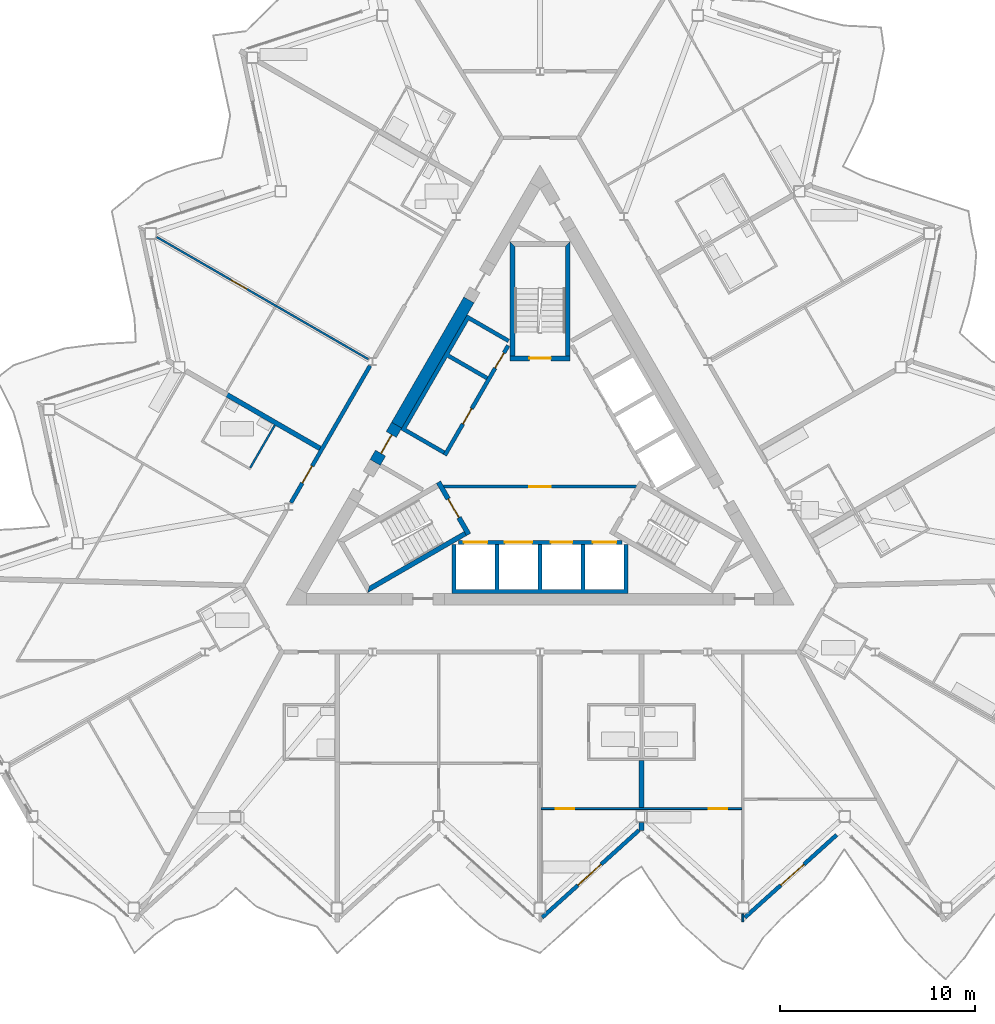
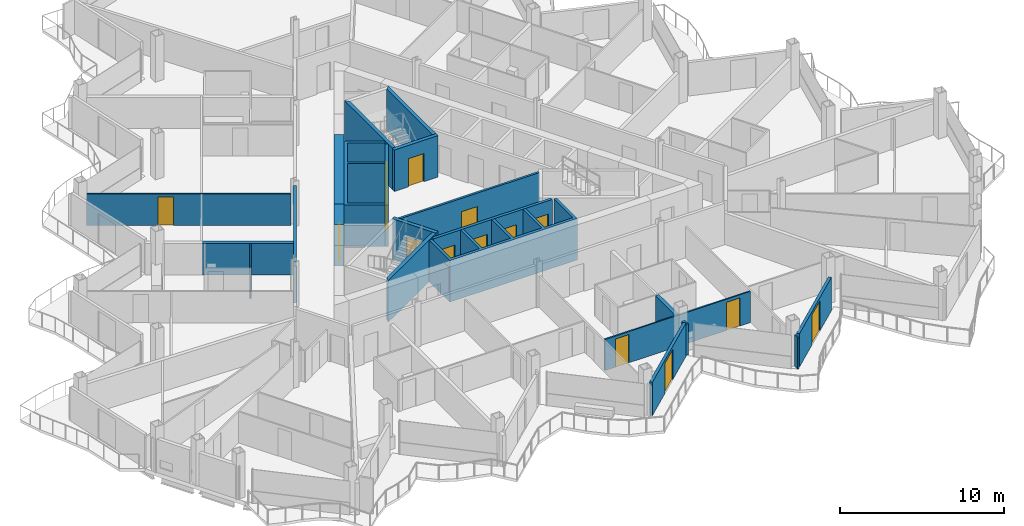
# One storey, part 15 of 28: 22 walls, 16 doors, 16 openings.
"""IFC4 building model written with IfcOpenShell, lengths in metres."""

from ifc_helpers import new_model, si_unit, direction, frame, frame_2d, origin, place, context, subcontext, project, spatial, polyline, rectangle, outline, extrude, material, layer, layer_set, type_object, element, fill, save


model = new_model("IFC4")

# Units and contexts
model_context = context("Model", 3, precision=1e-05, world=origin(), true_north=direction((0.0, 1.0)))
body_context = subcontext(model_context, "Body", "Model", "MODEL_VIEW")
ifc_project = project(units=[si_unit("LENGTHUNIT", "METRE"), si_unit("AREAUNIT", "SQUARE_METRE"), si_unit("VOLUMEUNIT", "CUBIC_METRE"), si_unit("PLANEANGLEUNIT", "RADIAN"), si_unit("MASSUNIT", "GRAM", prefix="KILO")], contexts=[model_context])

# Site, building, storey
site_placement = place(None, origin())
site = spatial("IfcSite", under=ifc_project, at=site_placement, CompositionType="ELEMENT")
building_placement = place(site_placement, origin())
building = spatial("IfcBuilding", under=site, at=building_placement, Name="Cormorant Prow Tower", CompositionType="ELEMENT")
storey_placement = place(building_placement, frame((0.0, 0.0, 308.60009765625)))
storey = spatial("IfcBuildingStorey", under=building, at=storey_placement, Name="L67", CompositionType="ELEMENT", Elevation=308.60009765625)

# Wall, opening, door
ifc_material_1 = material(Name="Gypsum board partition")
ifc_layer_1 = layer(ifc_material_1, 0.14990234375)
ifc_layer_set_1 = layer_set([ifc_layer_1], Name="Gypsum board partition")
wall_type_1 = type_object("IfcWallType", Name="Core partition 150", PredefinedType="PARTITIONING", material=ifc_layer_set_1)
wall_1_placement = place(storey_placement, frame((-4.941162109375, -1.449951171875, 0.0), z_axis=(0.0, 0.0, 1.0), x_axis=(1.0, 0.0, 0.0)))
wall_1 = element("IfcWall", 1, at=wall_1_placement, inside=storey, type_object=wall_type_1, Name="Firefighting lobby partition", PredefinedType="PARTITIONING", context=body_context, shape_type="SweptSolid", body=[
    extrude(rectangle(XDim=9.88232421875, YDim=0.14990234375, at=frame_2d((4.941162109375, 0.0))), origin(), (0.0, 0.0, 1.0), 3.099853515625),
])
opening_1_placement = place(wall_1_placement, frame((4.39111328125, 0.0, 0.0)))
opening_1 = element("IfcOpeningElement", 2, at=opening_1_placement, cuts=wall_1, Name="Opening L67-C11", PredefinedType="OPENING", context=body_context, shape_type="SweptSolid", body=[
    extrude(rectangle(XDim=1.10009765625, YDim=2.10009765625, at=frame_2d((0.550048828125, 1.050048828125))), frame((0.0, 0.0849609375, 0.0), z_axis=(0.0, -1.0, 0.0), x_axis=(1.0, 0.0, 0.0)), (0.0, 0.0, 1.0), 0.169921875),
])
ifc_material_2 = material(Name="Painted steel", Category="steel")
door_type_1 = type_object("IfcDoorType", Name="Firefighting lobby door 1100x2100", OperationType="NOTDEFINED", PredefinedType="DOOR", material=ifc_material_2)
door_1_placement = place(opening_1_placement, origin())
door_1 = element("IfcDoor", 3, at=door_1_placement, inside=storey, type_object=door_type_1, Name="Firefighting lobby door", OperationType="SINGLE_SWING_RIGHT", OverallHeight=2.10009765625, OverallWidth=1.10009765625, PredefinedType="DOOR", context=body_context, shape_type="SweptSolid", body=[
    extrude(rectangle(XDim=1.10009765625, YDim=2.10009765625, at=frame_2d((0.550048828125, 1.050048828125))), frame((0.0, 0.02490234375, 0.0), z_axis=(0.0, -1.0, 0.0), x_axis=(1.0, 0.0, 0.0)), (0.0, 0.0, 1.0), 0.050048828125),
])
fill(opening_1, door_1)

# Wall
ifc_material_3 = material(Name="Concrete 8000 psi", Category="concrete")
ifc_layer_2 = layer(ifc_material_3, 0.60009765625)
ifc_layer_set_2 = layer_set([ifc_layer_2], Name="Concrete 8000 psi")
wall_type_2 = type_object("IfcWallType", Name="Core shear wall 600", PredefinedType="SHEAR", material=ifc_layer_set_2)
wall_2_placement = place(storey_placement, frame((-3.639404296875, 8.107421875, 0.0), z_axis=(0.0, 0.0, 1.0), x_axis=(-0.49999180351, -0.866030135978, 0.0)))
element("IfcWall", 4, at=wall_2_placement, inside=storey, type_object=wall_type_2, Name="Core wall", PredefinedType="SHEAR", context=body_context, shape_type="SweptSolid", body=[
    extrude(rectangle(XDim=7.4013671875, YDim=0.60009765625, at=frame_2d((3.70068359375, 0.0))), origin(), (0.0, 0.0, 1.0), 3.099853515625),
])

# Wall, opening, door
wall_3_placement = place(storey_placement, frame((-7.340087890625, 1.697509765625, 0.0), z_axis=(0.0, 0.0, 1.0), x_axis=(-0.50002983664, -0.866008176907, 0.0)))
wall_3 = element("IfcWall", 5, at=wall_3_placement, inside=storey, type_object=wall_type_2, Name="Core wall door panel", PredefinedType="SHEAR", context=body_context, shape_type="SweptSolid", body=[
    extrude(rectangle(XDim=2.199951171875, YDim=0.60009765625, at=frame_2d((1.10009765625, 0.0))), origin(), (0.0, 0.0, 1.0), 3.099853515625),
])
opening_2_placement = place(wall_3_placement, frame((0.550048828125, 0.0, 0.0)))
opening_2 = element("IfcOpeningElement", 6, at=opening_2_placement, cuts=wall_3, Name="Opening L67-C21", PredefinedType="OPENING", context=body_context, shape_type="SweptSolid", body=[
    extrude(rectangle(XDim=1.10009765625, YDim=2.10009765625, at=frame_2d((0.550048828125, 1.050048828125))), frame((0.0, 0.31005859375, 0.0), z_axis=(0.0, -1.0, 0.0), x_axis=(1.0, 0.0, 0.0)), (0.0, 0.0, 1.0), 0.6201171875),
])
ifc_material_4 = material(Name="Painted steel", Category="steel")
door_type_2 = type_object("IfcDoorType", Name="Core door 1100x2100", OperationType="NOTDEFINED", PredefinedType="DOOR", material=ifc_material_4)
door_2_placement = place(opening_2_placement, origin())
door_2 = element("IfcDoor", 7, at=door_2_placement, inside=storey, type_object=door_type_2, Name="Core door, lift lobby", OperationType="SINGLE_SWING_RIGHT", OverallHeight=2.10009765625, OverallWidth=1.10009765625, PredefinedType="DOOR", context=body_context, shape_type="SweptSolid", body=[
    extrude(rectangle(XDim=1.10009765625, YDim=2.10009765625, at=frame_2d((0.550048828125, 1.050048828125))), frame((0.0, 0.05517578125, 0.0), z_axis=(0.0, -1.0, 0.0), x_axis=(1.0, 0.0, 0.0)), (0.0, 0.0, 1.0), 0.050048828125),
])
fill(opening_2, door_2)

ifc_material_5 = material(Name="Gypsum board corridor wall")
ifc_layer_3 = layer(ifc_material_5, 0.199951171875)
ifc_layer_set_3 = layer_set([ifc_layer_3], Name="Gypsum board corridor wall")
wall_type_3 = type_object("IfcWallType", Name="Corridor wall 200", PredefinedType="PARTITIONING", material=ifc_layer_set_3)
wall_4_placement = place(storey_placement, frame((-12.747802734375, -2.268798828125, 0.0), z_axis=(0.0, 0.0, 1.0), x_axis=(0.499984266882, 0.866034487114, 0.0)))
wall_4 = element("IfcWall", 8, at=wall_4_placement, inside=storey, type_object=wall_type_3, Name="Corridor wall", PredefinedType="PARTITIONING", context=body_context, shape_type="SweptSolid", body=[
    extrude(rectangle(XDim=8.098876953125, YDim=0.199951171875, at=frame_2d((4.04931640625, 0.0))), origin(), (0.0, 0.0, 1.0), 3.099853515625),
])
opening_3_placement = place(wall_4_placement, frame((1.16357421875, 0.0, 0.0)))
opening_3 = element("IfcOpeningElement", 9, at=opening_3_placement, cuts=wall_4, Name="Opening L67-F46", PredefinedType="OPENING", context=body_context, shape_type="SweptSolid", body=[
    extrude(rectangle(XDim=1.0, YDim=2.10009765625, at=frame_2d((0.5, 1.050048828125))), frame((0.0, 0.10986328125, 0.0), z_axis=(0.0, -1.0, 0.0), x_axis=(1.0, 0.0, 0.0)), (0.0, 0.0, 1.0), 0.219970703125),
])
ifc_material_6 = material(Name="Timber door leaf", Category="wood")
door_type_3 = type_object("IfcDoorType", Name="Flat or room entrance door 1000x2100", OperationType="NOTDEFINED", PredefinedType="DOOR", material=ifc_material_6)
door_3_placement = place(opening_3_placement, origin())
door_3 = element("IfcDoor", 10, at=door_3_placement, inside=storey, type_object=door_type_3, Name="Living room door", OperationType="SINGLE_SWING_RIGHT", OverallHeight=2.10009765625, OverallWidth=1.0, PredefinedType="DOOR", context=body_context, shape_type="SweptSolid", body=[
    extrude(rectangle(XDim=1.0, YDim=2.10009765625, at=frame_2d((0.5, 1.050048828125))), frame((0.0, 0.02490234375, 0.0), z_axis=(0.0, -1.0, 0.0), x_axis=(1.0, 0.0, 0.0)), (0.0, 0.0, 1.0), 0.050048828125),
])
fill(opening_3, door_3)

ifc_material_7 = material(Name="Gypsum board partition")
ifc_layer_4 = layer(ifc_material_7, 0.10009765625)
ifc_layer_set_4 = layer_set([ifc_layer_4], Name="Gypsum board partition")
wall_type_4 = type_object("IfcWallType", Name="Internal partition 100", PredefinedType="PARTITIONING", material=ifc_layer_set_4)
wall_5_placement = place(storey_placement, frame((-19.615478515625, 11.3251953125, 0.0), z_axis=(0.0, 0.0, 1.0), x_axis=(0.86602139559, -0.500006942333, 0.0)))
wall_5 = element("IfcWall", 11, at=wall_5_placement, inside=storey, type_object=wall_type_4, Name="Internal partition", PredefinedType="PARTITIONING", context=body_context, shape_type="SweptSolid", body=[
    extrude(rectangle(XDim=12.504638671875, YDim=0.10009765625, at=frame_2d((6.25244140625, 0.0))), origin(), (0.0, 0.0, 1.0), 2.330078125),
])
opening_4_placement = place(wall_5_placement, frame((4.370361328125, 0.0, 0.0)))
opening_4 = element("IfcOpeningElement", 12, at=opening_4_placement, cuts=wall_5, Name="Opening L67-F43", PredefinedType="OPENING", context=body_context, shape_type="SweptSolid", body=[
    extrude(rectangle(XDim=0.949951171875, YDim=2.10009765625, at=frame_2d((0.47509765625, 1.050048828125))), frame((0.0, 0.06005859375, 0.0), z_axis=(0.0, -1.0, 0.0), x_axis=(1.0, 0.0, 0.0)), (0.0, 0.0, 1.0), 0.1201171875),
])
ifc_material_8 = material(Name="Timber door leaf", Category="wood")
door_type_4 = type_object("IfcDoorType", Name="Bathroom door 950x2100", OperationType="NOTDEFINED", PredefinedType="DOOR", material=ifc_material_8)
door_4_placement = place(opening_4_placement, origin())
door_4 = element("IfcDoor", 13, at=door_4_placement, inside=storey, type_object=door_type_4, Name="Dining room door", OperationType="SINGLE_SWING_RIGHT", OverallHeight=2.10009765625, OverallWidth=0.949951171875, PredefinedType="DOOR", context=body_context, shape_type="SweptSolid", body=[
    extrude(rectangle(XDim=0.949951171875, YDim=2.10009765625, at=frame_2d((0.47509765625, 1.050048828125))), frame((0.0, 0.02490234375, 0.0), z_axis=(0.0, -1.0, 0.0), x_axis=(1.0, 0.0, 0.0)), (0.0, 0.0, 1.0), 0.050048828125),
])
fill(opening_4, door_4)

# Wall, openings, doors
wall_6_placement = place(storey_placement, frame((0.050048828125, -17.92431640625, 0.0), z_axis=(0.0, 0.0, 1.0), x_axis=(1.0, 0.0, 0.0)))
wall_6 = element("IfcWall", 14, at=wall_6_placement, inside=storey, type_object=wall_type_4, Name="Internal partition", PredefinedType="PARTITIONING", context=body_context, shape_type="SweptSolid", body=[
    extrude(rectangle(XDim=10.28173828125, YDim=0.10009765625, at=frame_2d((5.140869140625, 0.0))), origin(), (0.0, 0.0, 1.0), 2.330078125),
])
opening_5_placement = place(wall_6_placement, frame((0.751708984375, 0.0, 0.0)))
opening_5 = element("IfcOpeningElement", 15, at=opening_5_placement, cuts=wall_6, Name="Opening L67-F05", PredefinedType="OPENING", context=body_context, shape_type="SweptSolid", body=[
    extrude(rectangle(XDim=0.949951171875, YDim=2.10009765625, at=frame_2d((0.47509765625, 1.050048828125))), frame((0.0, 0.06005859375, 0.0), z_axis=(0.0, -1.0, 0.0), x_axis=(1.0, 0.0, 0.0)), (0.0, 0.0, 1.0), 0.1201171875),
])
opening_6_placement = place(wall_6_placement, frame((8.580078125, 0.0, 0.0)))
opening_6 = element("IfcOpeningElement", 16, at=opening_6_placement, cuts=wall_6, Name="Opening L67-F12", PredefinedType="OPENING", context=body_context, shape_type="SweptSolid", body=[
    extrude(rectangle(XDim=0.949951171875, YDim=2.10009765625, at=frame_2d((0.47509765625, 1.050048828125))), frame((0.0, 0.06005859375, 0.0), z_axis=(0.0, -1.0, 0.0), x_axis=(1.0, 0.0, 0.0)), (0.0, 0.0, 1.0), 0.1201171875),
])
door_5_placement = place(opening_5_placement, origin())
door_5 = element("IfcDoor", 17, at=door_5_placement, inside=storey, type_object=door_type_4, Name="Living room door", OperationType="SINGLE_SWING_LEFT", OverallHeight=2.10009765625, OverallWidth=0.949951171875, PredefinedType="DOOR", context=body_context, shape_type="SweptSolid", body=[
    extrude(rectangle(XDim=0.949951171875, YDim=2.10009765625, at=frame_2d((0.47509765625, 1.050048828125))), frame((0.0, 0.02490234375, 0.0), z_axis=(0.0, -1.0, 0.0), x_axis=(1.0, 0.0, 0.0)), (0.0, 0.0, 1.0), 0.050048828125),
])
fill(opening_5, door_5)
door_6_placement = place(opening_6_placement, origin())
door_6 = element("IfcDoor", 18, at=door_6_placement, inside=storey, type_object=door_type_4, Name="Living room door", OperationType="SINGLE_SWING_RIGHT", OverallHeight=2.10009765625, OverallWidth=0.949951171875, PredefinedType="DOOR", context=body_context, shape_type="SweptSolid", body=[
    extrude(rectangle(XDim=0.949951171875, YDim=2.10009765625, at=frame_2d((0.47509765625, 1.050048828125))), frame((0.0, 0.02490234375, 0.0), z_axis=(0.0, -1.0, 0.0), x_axis=(1.0, 0.0, 0.0)), (0.0, 0.0, 1.0), 0.050048828125),
])
fill(opening_6, door_6)

# Walls
wall_7_placement = place(storey_placement, frame((-14.837158203125, -0.48779296875, 0.0), z_axis=(0.0, 0.0, 1.0), x_axis=(0.499976333282, 0.866039067339, 0.0)))
element("IfcWall", 19, at=wall_7_placement, inside=storey, type_object=wall_type_4, Name="Internal partition", PredefinedType="PARTITIONING", context=body_context, shape_type="SweptSolid", body=[
    extrude(rectangle(XDim=2.52490234375, YDim=0.10009765625, at=frame_2d((1.262451171875, 0.0))), origin(), (0.0, 0.0, 1.0), 2.330078125),
])
wall_8_placement = place(storey_placement, frame((10.3818359375, -23.72900390625, 0.0), z_axis=(0.0, 0.0, 1.0), x_axis=(0.0, 1.0, 0.0)))
element("IfcWall", 20, at=wall_8_placement, inside=storey, type_object=wall_type_4, Name="Internal partition", PredefinedType="PARTITIONING", context=body_context, shape_type="SweptSolid", body=[
    extrude(rectangle(XDim=0.410888671875, YDim=0.10009765625, at=frame_2d((0.20556640625, 0.0))), origin(), (0.0, 0.0, 1.0), 2.330078125),
])

# Wall, openings, doors
ifc_material_9 = material(Name="Concrete 5000 psi", Category="concrete")
ifc_layer_5 = layer(ifc_material_9, 0.199951171875)
ifc_layer_set_5 = layer_set([ifc_layer_5], Name="Concrete 5000 psi")
wall_type_5 = type_object("IfcWallType", Name="Lift lobby wall 200", PredefinedType="SOLIDWALL", material=ifc_layer_set_5)
wall_9_placement = place(storey_placement, frame((-4.1865234375, -4.300048828125, 0.0), z_axis=(0.0, 0.0, 1.0), x_axis=(1.0, 0.0, 0.0)))
wall_9 = element("IfcWall", 21, at=wall_9_placement, inside=storey, type_object=wall_type_5, Name="Lift lobby wall, S block", PredefinedType="SOLIDWALL", context=body_context, shape_type="SweptSolid", body=[
    extrude(rectangle(XDim=8.373046875, YDim=0.199951171875, at=frame_2d((4.1865234375, 0.0))), origin(), (0.0, 0.0, 1.0), 3.099853515625),
])
opening_7_placement = place(wall_9_placement, frame((0.28662109375, 0.0, 0.0)))
opening_7 = element("IfcOpeningElement", 22, at=opening_7_placement, cuts=wall_9, Name="Opening L67-C01", PredefinedType="OPENING", context=body_context, shape_type="SweptSolid", body=[
    extrude(rectangle(XDim=1.199951171875, YDim=2.10009765625, at=frame_2d((0.60009765625, 1.050048828125))), frame((0.0, 0.10986328125, 0.0), z_axis=(0.0, -1.0, 0.0), x_axis=(1.0, 0.0, 0.0)), (0.0, 0.0, 1.0), 0.219970703125),
])
opening_8_placement = place(wall_9_placement, frame((2.38671875, 0.0, 0.0)))
opening_8 = element("IfcOpeningElement", 23, at=opening_8_placement, cuts=wall_9, Name="Opening L67-C02", PredefinedType="OPENING", context=body_context, shape_type="SweptSolid", body=[
    extrude(rectangle(XDim=1.39990234375, YDim=2.10009765625, at=frame_2d((0.699951171875, 1.050048828125))), frame((0.0, 0.10986328125, 0.0), z_axis=(0.0, -1.0, 0.0), x_axis=(1.0, 0.0, 0.0)), (0.0, 0.0, 1.0), 0.219970703125),
])
opening_9_placement = place(wall_9_placement, frame((4.736572265625, 0.0, 0.0)))
opening_9 = element("IfcOpeningElement", 24, at=opening_9_placement, cuts=wall_9, Name="Opening L67-C03", PredefinedType="OPENING", context=body_context, shape_type="SweptSolid", body=[
    extrude(rectangle(XDim=1.10009765625, YDim=2.10009765625, at=frame_2d((0.550048828125, 1.050048828125))), frame((0.0, 0.10986328125, 0.0), z_axis=(0.0, -1.0, 0.0), x_axis=(1.0, 0.0, 0.0)), (0.0, 0.0, 1.0), 0.219970703125),
])
opening_10_placement = place(wall_9_placement, frame((6.88671875, 0.0, 0.0)))
opening_10 = element("IfcOpeningElement", 25, at=opening_10_placement, cuts=wall_9, Name="Opening L67-C04", PredefinedType="OPENING", context=body_context, shape_type="SweptSolid", body=[
    extrude(rectangle(XDim=1.199951171875, YDim=2.10009765625, at=frame_2d((0.60009765625, 1.050048828125))), frame((0.0, 0.10986328125, 0.0), z_axis=(0.0, -1.0, 0.0), x_axis=(1.0, 0.0, 0.0)), (0.0, 0.0, 1.0), 0.219970703125),
])
ifc_material_10 = material(Name="Painted steel", Category="steel")
door_type_5 = type_object("IfcDoorType", Name="Firefighting lift landing door 1200x2100", OperationType="SLIDING_TO_LEFT", PredefinedType="DOOR", material=ifc_material_10)
door_7_placement = place(opening_7_placement, origin())
door_7 = element("IfcDoor", 26, at=door_7_placement, inside=storey, type_object=door_type_5, Name="Landing door FL1", OperationType="SLIDING_TO_LEFT", OverallHeight=2.10009765625, OverallWidth=1.199951171875, PredefinedType="DOOR", context=body_context, shape_type="SweptSolid", body=[
    extrude(rectangle(XDim=1.199951171875, YDim=2.10009765625, at=frame_2d((0.60009765625, 1.050048828125))), frame((0.0, 0.02490234375, 0.0), z_axis=(0.0, -1.0, 0.0), x_axis=(1.0, 0.0, 0.0)), (0.0, 0.0, 1.0), 0.050048828125),
])
fill(opening_7, door_7)
door_8_placement = place(opening_10_placement, origin())
door_8 = element("IfcDoor", 27, at=door_8_placement, inside=storey, type_object=door_type_5, Name="Landing door FL2", OperationType="SLIDING_TO_LEFT", OverallHeight=2.10009765625, OverallWidth=1.199951171875, PredefinedType="DOOR", context=body_context, shape_type="SweptSolid", body=[
    extrude(rectangle(XDim=1.199951171875, YDim=2.10009765625, at=frame_2d((0.60009765625, 1.050048828125))), frame((0.0, 0.02490234375, 0.0), z_axis=(0.0, -1.0, 0.0), x_axis=(1.0, 0.0, 0.0)), (0.0, 0.0, 1.0), 0.050048828125),
])
fill(opening_10, door_8)
ifc_material_11 = material(Name="Painted steel", Category="steel")
door_type_6 = type_object("IfcDoorType", Name="Lift landing door 1100x2100", OperationType="SLIDING_TO_LEFT", PredefinedType="DOOR", material=ifc_material_11)
door_9_placement = place(opening_9_placement, origin())
door_9 = element("IfcDoor", 28, at=door_9_placement, inside=storey, type_object=door_type_6, Name="Landing door HR1", OperationType="SLIDING_TO_LEFT", OverallHeight=2.10009765625, OverallWidth=1.10009765625, PredefinedType="DOOR", context=body_context, shape_type="SweptSolid", body=[
    extrude(rectangle(XDim=1.10009765625, YDim=2.10009765625, at=frame_2d((0.550048828125, 1.050048828125))), frame((0.0, 0.02490234375, 0.0), z_axis=(0.0, -1.0, 0.0), x_axis=(1.0, 0.0, 0.0)), (0.0, 0.0, 1.0), 0.050048828125),
])
fill(opening_9, door_9)
ifc_material_12 = material(Name="Painted steel", Category="steel")
door_type_7 = type_object("IfcDoorType", Name="Service lift landing door 1400x2100", OperationType="SLIDING_TO_LEFT", PredefinedType="DOOR", material=ifc_material_12)
door_10_placement = place(opening_8_placement, origin())
door_10 = element("IfcDoor", 29, at=door_10_placement, inside=storey, type_object=door_type_7, Name="Landing door SL1", OperationType="SLIDING_TO_LEFT", OverallHeight=2.10009765625, OverallWidth=1.39990234375, PredefinedType="DOOR", context=body_context, shape_type="SweptSolid", body=[
    extrude(rectangle(XDim=1.39990234375, YDim=2.10009765625, at=frame_2d((0.699951171875, 1.050048828125))), frame((0.0, 0.02490234375, 0.0), z_axis=(0.0, -1.0, 0.0), x_axis=(1.0, 0.0, 0.0)), (0.0, 0.0, 1.0), 0.050048828125),
])
fill(opening_8, door_10)

wall_10_placement = place(storey_placement, frame((-1.630615234375, 5.775634765625, 0.0), z_axis=(0.0, 0.0, 1.0), x_axis=(-0.499992876559, -0.866029516466, 0.0)))
wall_10 = element("IfcWall", 30, at=wall_10_placement, inside=storey, type_object=wall_type_5, Name="Lift lobby wall, WNW block", PredefinedType="SOLIDWALL", context=body_context, shape_type="SweptSolid", body=[
    extrude(rectangle(XDim=6.486328125, YDim=0.199951171875, at=frame_2d((3.2431640625, 0.0))), origin(), (0.0, 0.0, 1.0), 3.099853515625),
])
opening_11_placement = place(wall_10_placement, frame((0.4365234375, 0.0, 0.0)))
opening_11 = element("IfcOpeningElement", 31, at=opening_11_placement, cuts=wall_10, Name="Opening L67-C09", PredefinedType="OPENING", context=body_context, shape_type="SweptSolid", body=[
    extrude(rectangle(XDim=0.89990234375, YDim=2.10009765625, at=frame_2d((0.449951171875, 1.050048828125))), frame((0.0, 0.10986328125, 0.0), z_axis=(0.0, -1.0, 0.0), x_axis=(1.0, 0.0, 0.0)), (0.0, 0.0, 1.0), 0.219970703125),
])
opening_12_placement = place(wall_10_placement, frame((3.736572265625, 0.0, 0.0)))
opening_12 = element("IfcOpeningElement", 32, at=opening_12_placement, cuts=wall_10, Name="Opening L67-C10", PredefinedType="OPENING", context=body_context, shape_type="SweptSolid", body=[
    extrude(rectangle(XDim=0.89990234375, YDim=2.10009765625, at=frame_2d((0.449951171875, 1.050048828125))), frame((0.0, 0.10986328125, 0.0), z_axis=(0.0, -1.0, 0.0), x_axis=(1.0, 0.0, 0.0)), (0.0, 0.0, 1.0), 0.219970703125),
])
ifc_material_13 = material(Name="Painted steel", Category="steel")
door_type_8 = type_object("IfcDoorType", Name="Service door 900x2100", OperationType="NOTDEFINED", PredefinedType="DOOR", material=ifc_material_13)
door_11_placement = place(opening_11_placement, origin())
door_11 = element("IfcDoor", 33, at=door_11_placement, inside=storey, type_object=door_type_8, Name="Service door, Telecom room", OperationType="SINGLE_SWING_LEFT", OverallHeight=2.10009765625, OverallWidth=0.89990234375, PredefinedType="DOOR", context=body_context, shape_type="SweptSolid", body=[
    extrude(rectangle(XDim=0.89990234375, YDim=2.10009765625, at=frame_2d((0.449951171875, 1.050048828125))), frame((0.0, 0.02490234375, 0.0), z_axis=(0.0, -1.0, 0.0), x_axis=(1.0, 0.0, 0.0)), (0.0, 0.0, 1.0), 0.050048828125),
])
fill(opening_11, door_11)
door_12_placement = place(opening_12_placement, origin())
door_12 = element("IfcDoor", 34, at=door_12_placement, inside=storey, type_object=door_type_8, Name="Service door, Housekeeping store", OperationType="SINGLE_SWING_RIGHT", OverallHeight=2.10009765625, OverallWidth=0.89990234375, PredefinedType="DOOR", context=body_context, shape_type="SweptSolid", body=[
    extrude(rectangle(XDim=0.89990234375, YDim=2.10009765625, at=frame_2d((0.449951171875, 1.050048828125))), frame((0.0, 0.02490234375, 0.0), z_axis=(0.0, -1.0, 0.0), x_axis=(1.0, 0.0, 0.0)), (0.0, 0.0, 1.0), 0.050048828125),
])
fill(opening_12, door_12)

# Walls
ifc_material_14 = material(Name="Concrete 8000 psi", Category="concrete")
ifc_layer_6 = layer(ifc_material_14, 0.199951171875)
ifc_layer_set_6 = layer_set([ifc_layer_6], Name="Concrete 8000 psi")
wall_type_6 = type_object("IfcWallType", Name="Lift shaft wall 200", PredefinedType="SHEAR", material=ifc_layer_set_6)
wall_11_placement = place(storey_placement, origin())
element("IfcWall", 35, at=wall_11_placement, inside=storey, type_object=wall_type_6, Name="Lift shaft walls, S block", PredefinedType="SHEAR", context=body_context, shape_type="SweptSolid", body=[
    extrude(outline(polyline([(4.5, -4.39990234375), (4.5, -6.906005859375), (-4.5, -6.906005859375), (-4.5, -4.39990234375), (-4.300048828125, -4.39990234375), (-4.300048828125, -6.699951171875), (-2.300048828125, -6.699951171875), (-2.300048828125, -4.39990234375), (-2.10009765625, -4.39990234375), (-2.10009765625, -6.699951171875), (-0.10009765625, -6.699951171875), (-0.10009765625, -4.39990234375), (0.10009765625, -4.39990234375), (0.10009765625, -6.699951171875), (2.10009765625, -6.699951171875), (2.10009765625, -4.39990234375), (2.300048828125, -4.39990234375), (2.300048828125, -6.699951171875), (4.300048828125, -6.699951171875), (4.300048828125, -4.39990234375), (4.5, -4.39990234375)])), origin(), (0.0, 0.0, 1.0), 3.099853515625),
])
wall_12_placement = place(storey_placement, origin())
element("IfcWall", 36, at=wall_12_placement, inside=storey, type_object=wall_type_6, Name="Lift shaft walls, WNW block", PredefinedType="SHEAR", context=body_context, shape_type="SweptSolid", body=[
    extrude(outline(polyline([(-4.96044921875, 0.2080078125), (-7.130859375, 1.461181640625), (-3.730712890625, 7.35009765625), (-1.560546875, 6.09716796875), (-1.660400390625, 5.923828125), (-3.65234375, 7.073974609375), (-4.65234375, 5.341796875), (-2.660400390625, 4.19189453125), (-2.760498046875, 4.018798828125), (-4.75244140625, 5.168701171875), (-6.852294921875, 1.53125), (-4.860595703125, 0.38134765625), (-4.96044921875, 0.2080078125)])), origin(), (0.0, 0.0, 1.0), 3.099853515625),
])
ifc_material_15 = material(Name="Concrete 8000 psi", Category="concrete")
ifc_layer_7 = layer(ifc_material_15, 0.25)
ifc_layer_set_7 = layer_set([ifc_layer_7], Name="Concrete 8000 psi")
wall_type_7 = type_object("IfcWallType", Name="Stair wall 250", PredefinedType="SHEAR", material=ifc_layer_set_7)
wall_13_placement = place(storey_placement, origin())
element("IfcWall", 37, at=wall_13_placement, inside=storey, type_object=wall_type_7, Name="Stair ST1 enclosure wall (flank)", PredefinedType="SHEAR", context=body_context, shape_type="SweptSolid", body=[
    extrude(outline(polyline([(-8.738037109375, -6.5390625), (-8.82958984375, -6.880615234375), (-3.76318359375, -3.95556640625), (-3.88818359375, -3.739013671875), (-8.738037109375, -6.5390625)])), origin(), (0.0, 0.0, 1.0), 3.099853515625),
])

# Wall, opening, door
wall_14_placement = place(storey_placement, frame((-5.198974609375, -1.21875, 0.0), z_axis=(0.0, 0.0, 1.0), x_axis=(0.499982516597, -0.866035497597, 0.0)))
wall_14 = element("IfcWall", 38, at=wall_14_placement, inside=storey, type_object=wall_type_7, Name="Stair ST1 door wall", PredefinedType="SHEAR", context=body_context, shape_type="SweptSolid", body=[
    extrude(rectangle(XDim=3.087890625, YDim=0.25, at=frame_2d((1.5439453125, 0.0))), origin(), (0.0, 0.0, 1.0), 3.099853515625),
])
opening_13_placement = place(wall_14_placement, frame((0.993896484375, 0.0, 0.0)))
opening_13 = element("IfcOpeningElement", 39, at=opening_13_placement, cuts=wall_14, Name="Opening L67-C12", PredefinedType="OPENING", context=body_context, shape_type="SweptSolid", body=[
    extrude(rectangle(XDim=1.10009765625, YDim=2.10009765625, at=frame_2d((0.550048828125, 1.050048828125))), frame((0.0, 0.135009765625, 0.0), z_axis=(0.0, -1.0, 0.0), x_axis=(1.0, 0.0, 0.0)), (0.0, 0.0, 1.0), 0.27001953125),
])
ifc_material_16 = material(Name="Painted steel", Category="steel")
door_type_9 = type_object("IfcDoorType", Name="Stair door 1100x2100", OperationType="NOTDEFINED", PredefinedType="DOOR", material=ifc_material_16)
door_13_placement = place(opening_13_placement, origin())
door_13 = element("IfcDoor", 40, at=door_13_placement, inside=storey, type_object=door_type_9, Name="Stair ST1 door", OperationType="SINGLE_SWING_LEFT", OverallHeight=2.10009765625, OverallWidth=1.10009765625, PredefinedType="DOOR", context=body_context, shape_type="SweptSolid", body=[
    extrude(rectangle(XDim=1.10009765625, YDim=2.10009765625, at=frame_2d((0.550048828125, 1.050048828125))), frame((0.0, 0.02490234375, 0.0), z_axis=(0.0, -1.0, 0.0), x_axis=(1.0, 0.0, 0.0)), (0.0, 0.0, 1.0), 0.050048828125),
])
fill(opening_13, door_13)

# Walls
wall_15_placement = place(storey_placement, origin())
element("IfcWall", 41, at=wall_15_placement, inside=storey, type_object=wall_type_7, Name="Stair ST3 enclosure wall (flank)", PredefinedType="SHEAR", context=body_context, shape_type="SweptSolid", body=[
    extrude(outline(polyline([(1.5439453125, 5.23681640625), (1.5439453125, 11.0869140625), (1.2939453125, 10.8369140625), (1.2939453125, 5.23681640625), (1.5439453125, 5.23681640625)])), origin(), (0.0, 0.0, 1.0), 3.099853515625),
])
wall_16_placement = place(storey_placement, origin())
element("IfcWall", 42, at=wall_16_placement, inside=storey, type_object=wall_type_7, Name="Stair ST3 enclosure wall (flank)", PredefinedType="SHEAR", context=body_context, shape_type="SweptSolid", body=[
    extrude(outline(polyline([(-1.2939453125, 10.8369140625), (-1.5439453125, 11.0869140625), (-1.5439453125, 5.23681640625), (-1.2939453125, 5.23681640625), (-1.2939453125, 10.8369140625)])), origin(), (0.0, 0.0, 1.0), 3.099853515625),
])

# Wall, opening, door
wall_17_placement = place(storey_placement, frame((1.5439453125, 5.11181640625, 0.0), z_axis=(0.0, 0.0, 1.0), x_axis=(-1.0, 0.0, 0.0)))
wall_17 = element("IfcWall", 43, at=wall_17_placement, inside=storey, type_object=wall_type_7, Name="Stair ST3 door wall", PredefinedType="SHEAR", context=body_context, shape_type="SweptSolid", body=[
    extrude(rectangle(XDim=3.087890625, YDim=0.25, at=frame_2d((1.5439453125, 0.0))), origin(), (0.0, 0.0, 1.0), 3.099853515625),
])
opening_14_placement = place(wall_17_placement, frame((0.993896484375, 0.0, 0.0)))
opening_14 = element("IfcOpeningElement", 44, at=opening_14_placement, cuts=wall_17, Name="Opening L67-C14", PredefinedType="OPENING", context=body_context, shape_type="SweptSolid", body=[
    extrude(rectangle(XDim=1.10009765625, YDim=2.10009765625, at=frame_2d((0.550048828125, 1.050048828125))), frame((0.0, 0.135009765625, 0.0), z_axis=(0.0, -1.0, 0.0), x_axis=(1.0, 0.0, 0.0)), (0.0, 0.0, 1.0), 0.27001953125),
])
door_14_placement = place(opening_14_placement, origin())
door_14 = element("IfcDoor", 45, at=door_14_placement, inside=storey, type_object=door_type_9, Name="Stair ST3 door", OperationType="SINGLE_SWING_LEFT", OverallHeight=2.10009765625, OverallWidth=1.10009765625, PredefinedType="DOOR", context=body_context, shape_type="SweptSolid", body=[
    extrude(rectangle(XDim=1.10009765625, YDim=2.10009765625, at=frame_2d((0.550048828125, 1.050048828125))), frame((0.0, 0.02490234375, 0.0), z_axis=(0.0, -1.0, 0.0), x_axis=(1.0, 0.0, 0.0)), (0.0, 0.0, 1.0), 0.050048828125),
])
fill(opening_14, door_14)

# Walls
ifc_material_17 = material(Name="Acoustic gypsum party wall")
ifc_layer_8 = layer(ifc_material_17, 0.25)
ifc_layer_set_8 = layer_set([ifc_layer_8], Name="Acoustic gypsum party wall")
wall_type_8 = type_object("IfcWallType", Name="Suite party wall 250", PredefinedType="PARTITIONING", material=ifc_layer_set_8)
wall_18_placement = place(storey_placement, frame((-16.053955078125, 3.27490234375, 0.0), z_axis=(0.0, 0.0, 1.0), x_axis=(0.866019581949, -0.500010083578, 0.0)))
element("IfcWall", 46, at=wall_18_placement, inside=storey, type_object=wall_type_8, Name="Suite party wall", PredefinedType="PARTITIONING", context=body_context, shape_type="SweptSolid", body=[
    extrude(rectangle(XDim=5.53515625, YDim=0.25, at=frame_2d((2.767578125, 0.0))), origin(), (0.0, 0.0, 1.0), 2.330078125),
])
wall_19_placement = place(storey_placement, frame((5.19091796875, -17.87451171875, 0.0), z_axis=(0.0, 0.0, 1.0), x_axis=(0.0, 1.0, 0.0)))
element("IfcWall", 47, at=wall_19_placement, inside=storey, type_object=wall_type_8, Name="Suite party wall", PredefinedType="PARTITIONING", context=body_context, shape_type="SweptSolid", body=[
    extrude(rectangle(XDim=2.4189453125, YDim=0.25, at=frame_2d((1.20947265625, 0.0))), origin(), (0.0, 0.0, 1.0), 2.330078125),
])
wall_20_placement = place(storey_placement, frame((5.19091796875, -19.054931640625, 0.0), z_axis=(0.0, 0.0, 1.0), x_axis=(0.0, 1.0, 0.0)))
element("IfcWall", 48, at=wall_20_placement, inside=storey, type_object=wall_type_8, Name="Suite party wall", PredefinedType="PARTITIONING", context=body_context, shape_type="SweptSolid", body=[
    extrude(rectangle(XDim=0.418212890625, YDim=0.25, at=frame_2d((0.208984375, 0.0))), origin(), (0.0, 0.0, 1.0), 2.330078125),
])

# Wall, opening, door
ifc_material_18 = material(Name="Terracotta", Category="masonry")
ifc_layer_9 = layer(ifc_material_18, 0.199951171875)
ifc_layer_set_9 = layer_set([ifc_layer_9], Name="Terracotta")
wall_type_9 = type_object("IfcWallType", Name="Terracotta jamb wall 200", PredefinedType="SOLIDWALL", material=ifc_layer_set_9)
wall_21_placement = place(storey_placement, frame((0.103515625, -23.501220703125, 0.0), z_axis=(0.0, 0.0, 1.0), x_axis=(0.743137782456, 0.669138428344, 0.0)))
wall_21 = element("IfcWall", 49, at=wall_21_placement, inside=storey, type_object=wall_type_9, Name="Terracotta jamb wall S05", PredefinedType="SOLIDWALL", context=body_context, shape_type="SweptSolid", body=[
    extrude(rectangle(XDim=6.677734375, YDim=0.199951171875, at=frame_2d((3.3388671875, 0.0))), origin(), (0.0, 0.0, 1.0), 2.48779296875),
])
opening_15_placement = place(wall_21_placement, frame((2.463134765625, 0.0, 0.0)))
opening_15 = element("IfcOpeningElement", 50, at=opening_15_placement, cuts=wall_21, Name="Opening ED67.03", PredefinedType="OPENING", context=body_context, shape_type="SweptSolid", body=[
    extrude(rectangle(XDim=1.60009765625, YDim=2.25, at=frame_2d((0.800048828125, 1.125))), frame((0.0, 0.10986328125, 0.0), z_axis=(0.0, -1.0, 0.0), x_axis=(1.0, 0.0, 0.0)), (0.0, 0.0, 1.0), 0.219970703125),
])
ifc_material_19 = material(Name="Aluminium 6063-T6", Category="aluminium")
door_type_10 = type_object("IfcDoorType", Name="Balcony door 1600x2250", OperationType="DOUBLE_DOOR_SINGLE_SWING", PredefinedType="DOOR", material=ifc_material_19)
door_15_placement = place(opening_15_placement, origin())
door_15 = element("IfcDoor", 51, at=door_15_placement, inside=storey, type_object=door_type_10, Name="Balcony door S05 ED67.03", OperationType="DOUBLE_DOOR_SINGLE_SWING", OverallHeight=2.25, OverallWidth=1.60009765625, PredefinedType="DOOR", context=body_context, shape_type="SweptSolid", body=[
    extrude(rectangle(XDim=1.60009765625, YDim=2.25, at=frame_2d((0.800048828125, 1.125))), frame((0.0, 0.02490234375, 0.0), z_axis=(0.0, -1.0, 0.0), x_axis=(1.0, 0.0, 0.0)), (0.0, 0.0, 1.0), 0.050048828125),
])
fill(opening_15, door_15)

wall_22_placement = place(storey_placement, frame((10.4853515625, -23.501220703125, 0.0), z_axis=(0.0, 0.0, 1.0), x_axis=(0.743134744054, 0.669141802745, 0.0)))
wall_22 = element("IfcWall", 52, at=wall_22_placement, inside=storey, type_object=wall_type_9, Name="Terracotta jamb wall S07", PredefinedType="SOLIDWALL", context=body_context, shape_type="SweptSolid", body=[
    extrude(rectangle(XDim=6.32177734375, YDim=0.199951171875, at=frame_2d((3.160888671875, 0.0))), origin(), (0.0, 0.0, 1.0), 2.48779296875),
])
opening_16_placement = place(wall_22_placement, frame((2.463134765625, 0.0, 0.0)))
opening_16 = element("IfcOpeningElement", 53, at=opening_16_placement, cuts=wall_22, Name="Opening ED67.04", PredefinedType="OPENING", context=body_context, shape_type="SweptSolid", body=[
    extrude(rectangle(XDim=1.60009765625, YDim=2.25, at=frame_2d((0.800048828125, 1.125))), frame((0.0, 0.10986328125, 0.0), z_axis=(0.0, -1.0, 0.0), x_axis=(1.0, 0.0, 0.0)), (0.0, 0.0, 1.0), 0.219970703125),
])
door_16_placement = place(opening_16_placement, origin())
door_16 = element("IfcDoor", 54, at=door_16_placement, inside=storey, type_object=door_type_10, Name="Balcony door S07 ED67.04", OperationType="DOUBLE_DOOR_SINGLE_SWING", OverallHeight=2.25, OverallWidth=1.60009765625, PredefinedType="DOOR", context=body_context, shape_type="SweptSolid", body=[
    extrude(rectangle(XDim=1.60009765625, YDim=2.25, at=frame_2d((0.800048828125, 1.125))), frame((0.0, 0.02490234375, 0.0), z_axis=(0.0, -1.0, 0.0), x_axis=(1.0, 0.0, 0.0)), (0.0, 0.0, 1.0), 0.050048828125),
])
fill(opening_16, door_16)

save(model, "model.ifc")
